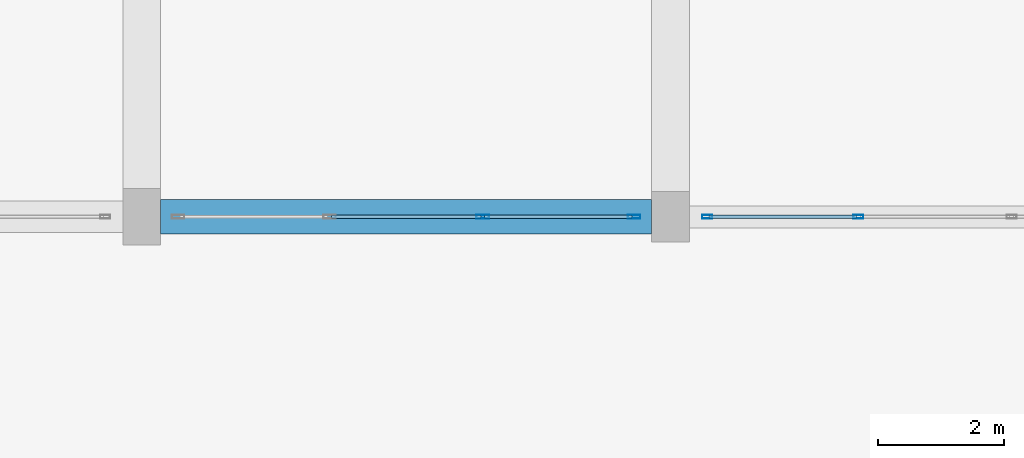
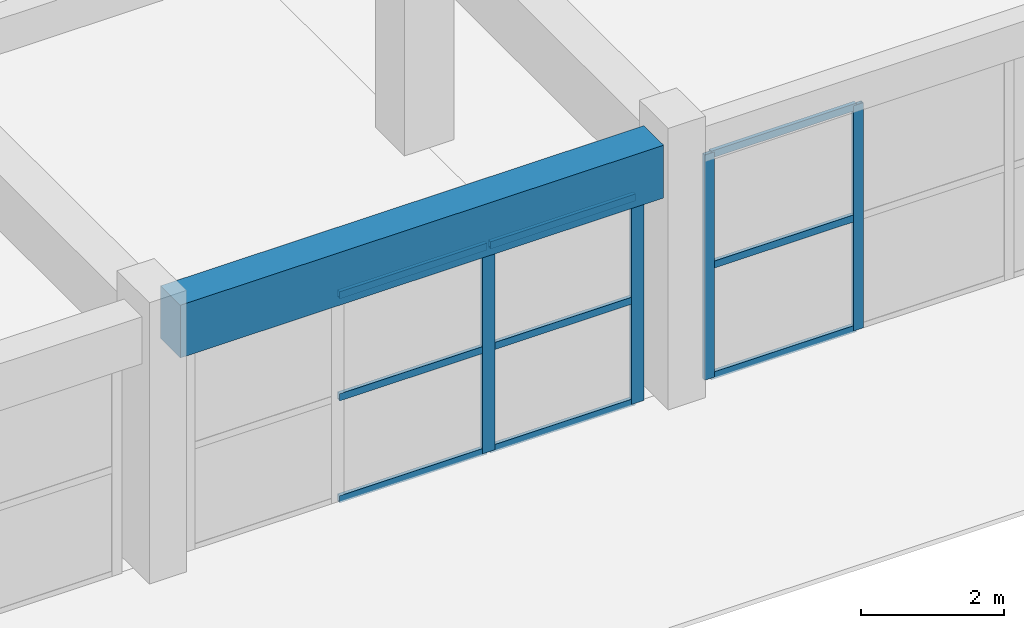
# One storey, part 16 of 72: 13 members, 1 beam, 2 elements without a shape of their own.
"""IFC4 building model written with IfcOpenShell, lengths in metres."""

from ifc_helpers import new_model, si_unit, direction, frame, origin, origin_2d, place, context, subcontext, project, spatial, rectangle, hollow_rectangle, extrude, material, material_profile, profile_set, type_object, element, aggregate, save


model = new_model("IFC4")

# Units and contexts
model_context = context("Model", 3, precision=1e-05, world=origin(), true_north=direction((0.0, 1.0)))
body_context = subcontext(model_context, "Body", "Model", "MODEL_VIEW")
ifc_project = project(units=[si_unit("LENGTHUNIT", "METRE"), si_unit("AREAUNIT", "SQUARE_METRE"), si_unit("VOLUMEUNIT", "CUBIC_METRE"), si_unit("PLANEANGLEUNIT", "RADIAN"), si_unit("MASSUNIT", "GRAM", prefix="KILO")], contexts=[model_context])

# Site, building, storey
site_placement = place(None, origin())
site = spatial("IfcSite", under=ifc_project, at=site_placement, CompositionType="ELEMENT")
building_placement = place(site_placement, origin())
building = spatial("IfcBuilding", under=site, at=building_placement, Name="Korsvaeld Concert Hall", CompositionType="ELEMENT")
storey_placement = place(building_placement, origin())
storey = spatial("IfcBuildingStorey", under=building, at=storey_placement, Name="L00", CompositionType="ELEMENT", Elevation=0.0)

# Beam
ifc_material_1 = material(Name="Concrete C40/50", Category="concrete")
ifc_material_profile_1 = material_profile(ifc_material_1, rectangle(XDim=0.550048828125, YDim=0.89990234375, at=origin_2d()), Name="RC 550x900")
ifc_profile_set_1 = profile_set([ifc_material_profile_1], Name="Concrete C40/50")
beam_type = type_object("IfcBeamType", Name="BM-RC-550x900", PredefinedType="T_BEAM", material=ifc_profile_set_1)
beam_placement = place(storey_placement, frame((92.699951171875, 28.800048828125, 3.989990234375), z_axis=(1.0, 0.0, 0.0), x_axis=(0.0, 1.0, 0.0)))
element("IfcBeam", 1, at=beam_placement, inside=storey, type_object=beam_type, Name="Primary girder 13-14/E L00", PredefinedType="T_BEAM", context=body_context, shape_type="SweptSolid", body=[
    extrude(rectangle(XDim=0.550048828125, YDim=0.89990234375, at=origin_2d()), origin(), (0.0, 0.0, 1.0), 7.800048828125),
])

# Curtain wall, members
ifc_material_2 = material(Name="Anodised bronze and ceramic-fritted safety glass", Category="glass")
curtain_wall_type_1 = type_object("IfcCurtainWallType", Name="CW-TYPE-09", PredefinedType="USERDEFINED", material=ifc_material_2)
curtain_wall_1_placement = place(storey_placement, origin())
curtain_wall_1 = element("IfcCurtainWall", 2, at=curtain_wall_1_placement, inside=storey, type_object=curtain_wall_type_1, Name="Wintergarden foyer curtain wall L00-01", ObjectType="CURTAIN WALL", PredefinedType="USERDEFINED")
ifc_material_3 = material(Name="Anodised architectural bronze aluminium", Category="aluminium")
ifc_material_profile_2 = material_profile(ifc_material_3, hollow_rectangle(XDim=0.06005859375, YDim=0.159912109375, WallThickness=0.00390625, at=origin_2d()), Name="CWM 160x60x4")
ifc_profile_set_2 = profile_set([ifc_material_profile_2], Name="Anodised architectural bronze aluminium")
member_type_1 = type_object("IfcMemberType", Name="CWM-ALUM-160x60", PredefinedType="MULLION", material=ifc_profile_set_2)
member_1_placement = place(storey_placement, frame((103.783447265625, 28.800048828125, 0.0), z_axis=(0.0, 0.0, 1.0), x_axis=(0.0, -1.0, 0.0)))
member_1 = element("IfcMember", 3, at=member_1_placement, type_object=member_type_1, Name="CW-09 mullion 3", PredefinedType="MULLION", context=body_context, shape_type="SweptSolid", body=[
    extrude(hollow_rectangle(XDim=0.06005859375, YDim=0.159912109375, WallThickness=0.00390625, at=origin_2d()), origin(), (0.0, 0.0, 1.0), 3.840087890625),
])
member_2_placement = place(storey_placement, frame((101.3798828125, 28.800048828125, 0.0), z_axis=(0.0, 0.0, 1.0), x_axis=(0.0, -1.0, 0.0)))
member_2 = element("IfcMember", 4, at=member_2_placement, type_object=member_type_1, Name="CW-09 mullion 4", PredefinedType="MULLION", context=body_context, shape_type="SweptSolid", body=[
    extrude(hollow_rectangle(XDim=0.06005859375, YDim=0.159912109375, WallThickness=0.00390625, at=origin_2d()), origin(), (0.0, 0.0, 1.0), 3.840087890625),
])

curtain_wall_type_2 = type_object("IfcCurtainWallType", Name="CW-TYPE-10", PredefinedType="USERDEFINED", material=ifc_material_2)
curtain_wall_2_placement = place(storey_placement, origin())
curtain_wall_2 = element("IfcCurtainWall", 5, at=curtain_wall_2_placement, inside=storey, type_object=curtain_wall_type_2, Name="Wintergarden foyer curtain wall L00-02", ObjectType="CURTAIN WALL", PredefinedType="USERDEFINED")
ifc_material_profile_3 = material_profile(ifc_material_3, hollow_rectangle(XDim=0.06005859375, YDim=0.199951171875, WallThickness=0.0048828125, at=origin_2d()), Name="CWM 200x60x5")
ifc_profile_set_3 = profile_set([ifc_material_profile_3], Name="Anodised architectural bronze aluminium")
member_type_2 = type_object("IfcMemberType", Name="CWM-ALUM-200x60", PredefinedType="MULLION", material=ifc_profile_set_3)
member_3_placement = place(storey_placement, frame((100.219970703125, 28.800048828125, 0.0), z_axis=(0.0, 0.0, 1.0), x_axis=(0.0, -1.0, 0.0)))
member_3 = element("IfcMember", 6, at=member_3_placement, type_object=member_type_2, Name="CW-10 mullion 1", PredefinedType="MULLION", context=body_context, shape_type="SweptSolid", body=[
    extrude(hollow_rectangle(XDim=0.06005859375, YDim=0.199951171875, WallThickness=0.0048828125, at=origin_2d()), origin(), (0.0, 0.0, 1.0), 3.5400390625),
])
member_4_placement = place(storey_placement, frame((97.816650390625, 28.800048828125, 0.0), z_axis=(0.0, 0.0, 1.0), x_axis=(0.0, -1.0, 0.0)))
member_4 = element("IfcMember", 7, at=member_4_placement, type_object=member_type_2, Name="CW-10 mullion 2", PredefinedType="MULLION", context=body_context, shape_type="SweptSolid", body=[
    extrude(hollow_rectangle(XDim=0.06005859375, YDim=0.199951171875, WallThickness=0.0048828125, at=origin_2d()), origin(), (0.0, 0.0, 1.0), 3.5400390625),
])

# Member
ifc_material_profile_4 = material_profile(ifc_material_3, hollow_rectangle(XDim=0.06005859375, YDim=0.1201171875, WallThickness=0.00390625, at=origin_2d()), Name="CWT 120x60x4")
ifc_profile_set_4 = profile_set([ifc_material_profile_4], Name="Anodised architectural bronze aluminium")
member_type_3 = type_object("IfcMemberType", Name="CWT-ALUM-120x60", PredefinedType="USERDEFINED", material=ifc_profile_set_4)
member_5_placement = place(storey_placement, frame((103.75341796875, 28.800048828125, 0.030029296875), z_axis=(-1.0, 0.0, 0.0), x_axis=(0.0, -1.0, 0.0)))
member_5 = element("IfcMember", 8, at=member_5_placement, type_object=member_type_3, Name="CW-09 transom 3.1", ObjectType="TRANSOM", PredefinedType="USERDEFINED", context=body_context, shape_type="SweptSolid", body=[
    extrude(hollow_rectangle(XDim=0.06005859375, YDim=0.1201171875, WallThickness=0.00390625, at=origin_2d()), origin(), (0.0, 0.0, 1.0), 2.343505859375),
])

member_6_placement = place(storey_placement, frame((103.75341796875, 28.800048828125, 1.919921875), z_axis=(-1.0, 0.0, 0.0), x_axis=(0.0, -1.0, 0.0)))
member_6 = element("IfcMember", 9, at=member_6_placement, type_object=member_type_3, Name="CW-09 transom 3.2", ObjectType="TRANSOM", PredefinedType="USERDEFINED", context=body_context, shape_type="SweptSolid", body=[
    extrude(hollow_rectangle(XDim=0.06005859375, YDim=0.1201171875, WallThickness=0.00390625, at=origin_2d()), origin(), (0.0, 0.0, 1.0), 2.343505859375),
])

member_7_placement = place(storey_placement, frame((103.75341796875, 28.800048828125, 3.81005859375), z_axis=(-1.0, 0.0, 0.0), x_axis=(0.0, -1.0, 0.0)))
member_7 = element("IfcMember", 10, at=member_7_placement, type_object=member_type_3, Name="CW-09 transom 3.3", ObjectType="TRANSOM", PredefinedType="USERDEFINED", context=body_context, shape_type="SweptSolid", body=[
    extrude(hollow_rectangle(XDim=0.06005859375, YDim=0.1201171875, WallThickness=0.00390625, at=origin_2d()), origin(), (0.0, 0.0, 1.0), 2.343505859375),
])

aggregate(curtain_wall_1, [member_1, member_2, member_5, member_6, member_7])

member_8_placement = place(storey_placement, frame((100.18994140625, 28.800048828125, 0.030029296875), z_axis=(-1.0, 0.0, 0.0), x_axis=(0.0, -1.0, 0.0)))
member_8 = element("IfcMember", 11, at=member_8_placement, type_object=member_type_3, Name="CW-10 transom 1.1", ObjectType="TRANSOM", PredefinedType="USERDEFINED", context=body_context, shape_type="SweptSolid", body=[
    extrude(hollow_rectangle(XDim=0.06005859375, YDim=0.1201171875, WallThickness=0.00390625, at=origin_2d()), origin(), (0.0, 0.0, 1.0), 2.34326171875),
])

member_9_placement = place(storey_placement, frame((100.18994140625, 28.800048828125, 1.77001953125), z_axis=(-1.0, 0.0, 0.0), x_axis=(0.0, -1.0, 0.0)))
member_9 = element("IfcMember", 12, at=member_9_placement, type_object=member_type_3, Name="CW-10 transom 1.2", ObjectType="TRANSOM", PredefinedType="USERDEFINED", context=body_context, shape_type="SweptSolid", body=[
    extrude(hollow_rectangle(XDim=0.06005859375, YDim=0.1201171875, WallThickness=0.00390625, at=origin_2d()), origin(), (0.0, 0.0, 1.0), 2.34326171875),
])

member_10_placement = place(storey_placement, frame((100.18994140625, 28.800048828125, 3.510009765625), z_axis=(-1.0, 0.0, 0.0), x_axis=(0.0, -1.0, 0.0)))
member_10 = element("IfcMember", 13, at=member_10_placement, type_object=member_type_3, Name="CW-10 transom 1.3", ObjectType="TRANSOM", PredefinedType="USERDEFINED", context=body_context, shape_type="SweptSolid", body=[
    extrude(hollow_rectangle(XDim=0.06005859375, YDim=0.1201171875, WallThickness=0.00390625, at=origin_2d()), origin(), (0.0, 0.0, 1.0), 2.34326171875),
])

member_11_placement = place(storey_placement, frame((97.78662109375, 28.800048828125, 0.030029296875), z_axis=(-1.0, 0.0, 0.0), x_axis=(0.0, -1.0, 0.0)))
member_11 = element("IfcMember", 14, at=member_11_placement, type_object=member_type_3, Name="CW-10 transom 2.1", ObjectType="TRANSOM", PredefinedType="USERDEFINED", context=body_context, shape_type="SweptSolid", body=[
    extrude(hollow_rectangle(XDim=0.06005859375, YDim=0.1201171875, WallThickness=0.00390625, at=origin_2d()), origin(), (0.0, 0.0, 1.0), 2.373291015625),
])

member_12_placement = place(storey_placement, frame((97.78662109375, 28.800048828125, 1.77001953125), z_axis=(-1.0, 0.0, 0.0), x_axis=(0.0, -1.0, 0.0)))
member_12 = element("IfcMember", 15, at=member_12_placement, type_object=member_type_3, Name="CW-10 transom 2.2", ObjectType="TRANSOM", PredefinedType="USERDEFINED", context=body_context, shape_type="SweptSolid", body=[
    extrude(hollow_rectangle(XDim=0.06005859375, YDim=0.1201171875, WallThickness=0.00390625, at=origin_2d()), origin(), (0.0, 0.0, 1.0), 2.373291015625),
])

member_13_placement = place(storey_placement, frame((97.78662109375, 28.800048828125, 3.510009765625), z_axis=(-1.0, 0.0, 0.0), x_axis=(0.0, -1.0, 0.0)))
member_13 = element("IfcMember", 16, at=member_13_placement, type_object=member_type_3, Name="CW-10 transom 2.3", ObjectType="TRANSOM", PredefinedType="USERDEFINED", context=body_context, shape_type="SweptSolid", body=[
    extrude(hollow_rectangle(XDim=0.06005859375, YDim=0.1201171875, WallThickness=0.00390625, at=origin_2d()), origin(), (0.0, 0.0, 1.0), 2.373291015625),
])

aggregate(curtain_wall_2, [member_3, member_4, member_8, member_9, member_10, member_11, member_12, member_13])

save(model, "model.ifc")
